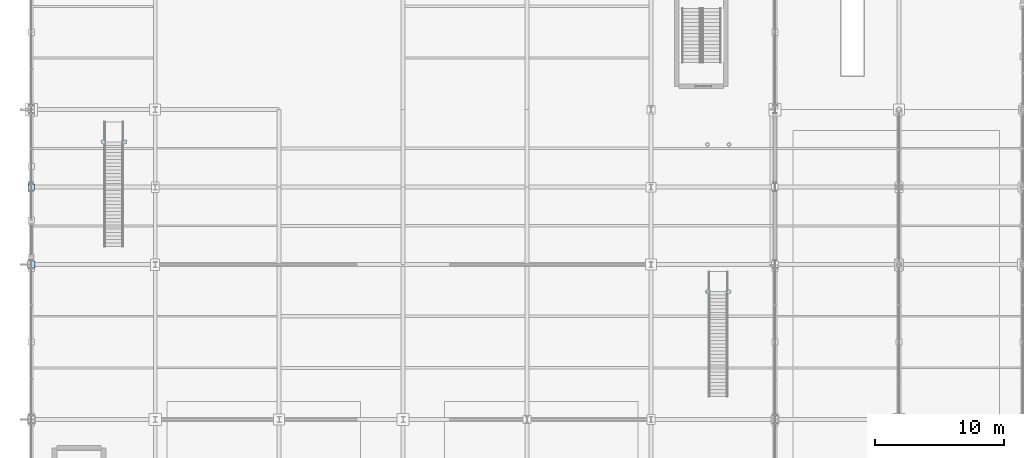
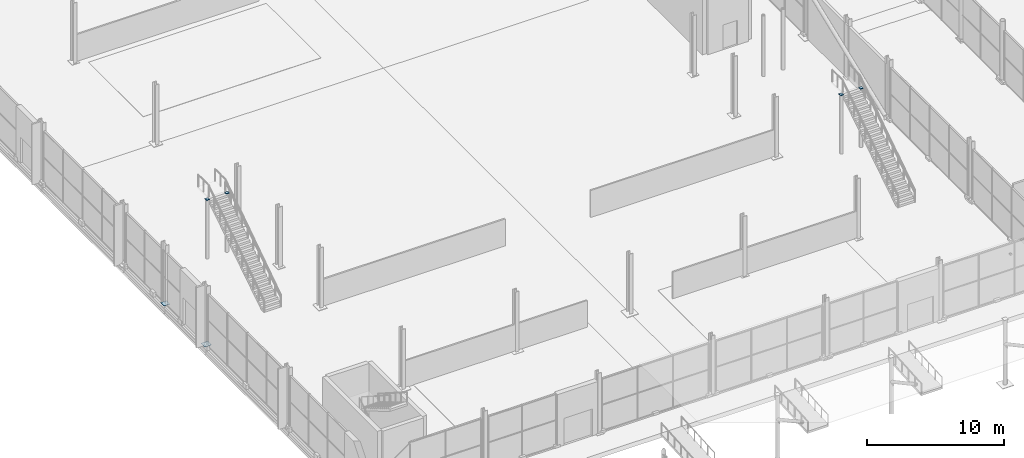
# One storey, part 155 of 196: 6 plates.
"""IFC4 building model written with IfcOpenShell, lengths in metres."""

from ifc_helpers import new_model, si_unit, direction, frame, origin, origin_2d, place, context, subcontext, project, spatial, rectangle, extrude, material, layer, layer_set, type_object, element, save


model = new_model("IFC4")

# Units and contexts
model_context = context("Model", 3, precision=1e-05, world=origin(), true_north=direction((0.0, 1.0)))
body_context = subcontext(model_context, "Body", "Model", "MODEL_VIEW")
ifc_project = project(units=[si_unit("LENGTHUNIT", "METRE"), si_unit("AREAUNIT", "SQUARE_METRE"), si_unit("VOLUMEUNIT", "CUBIC_METRE"), si_unit("PLANEANGLEUNIT", "RADIAN"), si_unit("MASSUNIT", "GRAM", prefix="KILO")], contexts=[model_context])

# Site, building, storey
site_placement = place(None, origin())
site = spatial("IfcSite", under=ifc_project, at=site_placement, CompositionType="ELEMENT")
building_placement = place(site_placement, origin())
building = spatial("IfcBuilding", under=site, at=building_placement, Name="Merenkruunu Market Hall", CompositionType="ELEMENT")
storey_placement = place(building_placement, origin())
storey = spatial("IfcBuildingStorey", under=building, at=storey_placement, Name="L00", CompositionType="ELEMENT", Elevation=0.0)

# Plates
ifc_material = material(Name="Steel S355ML", Category="steel")
ifc_layer_1 = layer(ifc_material, 0.030029296875)
ifc_layer_set_1 = layer_set([ifc_layer_1], Name="Steel S355ML")
plate_type_1 = type_object("IfcPlateType", Name="Column Base Plate BP04", PredefinedType="USERDEFINED", material=ifc_layer_set_1)
plate_1_placement = place(storey_placement, frame((0.0, 39.60009765625, 0.0), z_axis=(0.0, 0.0, 1.0), x_axis=(1.0, 0.0, 0.0)))
element("IfcPlate", 1, at=plate_1_placement, inside=storey, type_object=plate_type_1, Name="PLT-BP-A-05", ObjectType="BASE_PLATE", PredefinedType="USERDEFINED", context=body_context, shape_type="SweptSolid", body=[
    extrude(rectangle(XDim=0.550048828125, YDim=0.550048828125, at=origin_2d()), origin(), (0.0, 0.0, 1.0), 0.030029296875),
])
ifc_layer_2 = layer(ifc_material, 0.028076171875)
ifc_layer_set_2 = layer_set([ifc_layer_2], Name="Steel S355ML")
plate_type_2 = type_object("IfcPlateType", Name="Column Base Plate BP05", PredefinedType="USERDEFINED", material=ifc_layer_set_2)
plate_2_placement = place(storey_placement, frame((0.0, 45.60009765625, 0.0), z_axis=(0.0, 0.0, 1.0), x_axis=(1.0, 0.0, 0.0)))
element("IfcPlate", 2, at=plate_2_placement, inside=storey, type_object=plate_type_2, Name="PLT-BP-A-06", ObjectType="BASE_PLATE", PredefinedType="USERDEFINED", context=body_context, shape_type="SweptSolid", body=[
    extrude(rectangle(XDim=0.5, YDim=0.5, at=origin_2d()), origin(), (0.0, 0.0, 1.0), 0.028076171875),
])
ifc_layer_3 = layer(ifc_material, 0.02001953125)
ifc_layer_set_3 = layer_set([ifc_layer_3], Name="Steel S355ML")
plate_type_3 = type_object("IfcPlateType", Name="Truss Gusset Or Cap Plate CP04", PredefinedType="USERDEFINED", material=ifc_layer_set_3)
for number, where, z_axis, x_axis, name in (
    (3, (5.570068359375, 49.10009765625, 5.22998046875), (0.0, 0.0, 1.0), (1.0, 0.0, 0.0), "PLT-FST-CAP-2-1"),
    (4, (7.22998046875, 49.10009765625, 5.22998046875), (0.0, 0.0, 1.0), (1.0, 0.0, 0.0), "PLT-FST-CAP-2-2"),
    (5, (52.3701171875, 37.5, 5.22998046875), (0.0, 0.0, 1.0), (1.0, 0.0, 0.0), "PLT-FST-CAP-3-1"),
    (6, (54.030029296875, 37.5, 5.22998046875), (0.0, 0.0, 1.0), (1.0, 0.0, 0.0), "PLT-FST-CAP-3-2"),
):
    element("IfcPlate", number, at=place(storey_placement, frame(where, z_axis=z_axis, x_axis=x_axis)), inside=storey, type_object=plate_type_3, Name=name, ObjectType="GUSSET_PLATE", PredefinedType="USERDEFINED", context=body_context, shape_type="SweptSolid", body=[
        extrude(rectangle(XDim=0.260009765625, YDim=0.260009765625, at=origin_2d()), origin(), (0.0, 0.0, 1.0), 0.02001953125),
    ])

save(model, "model.ifc")
